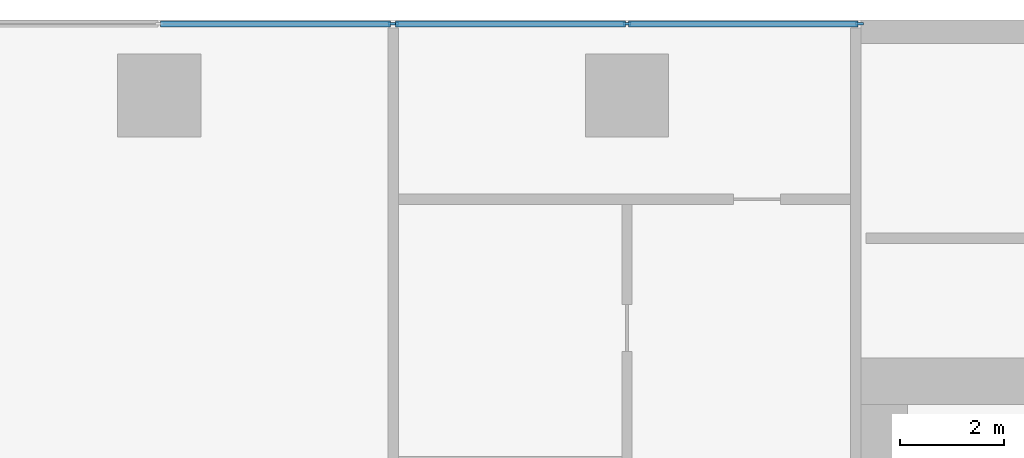
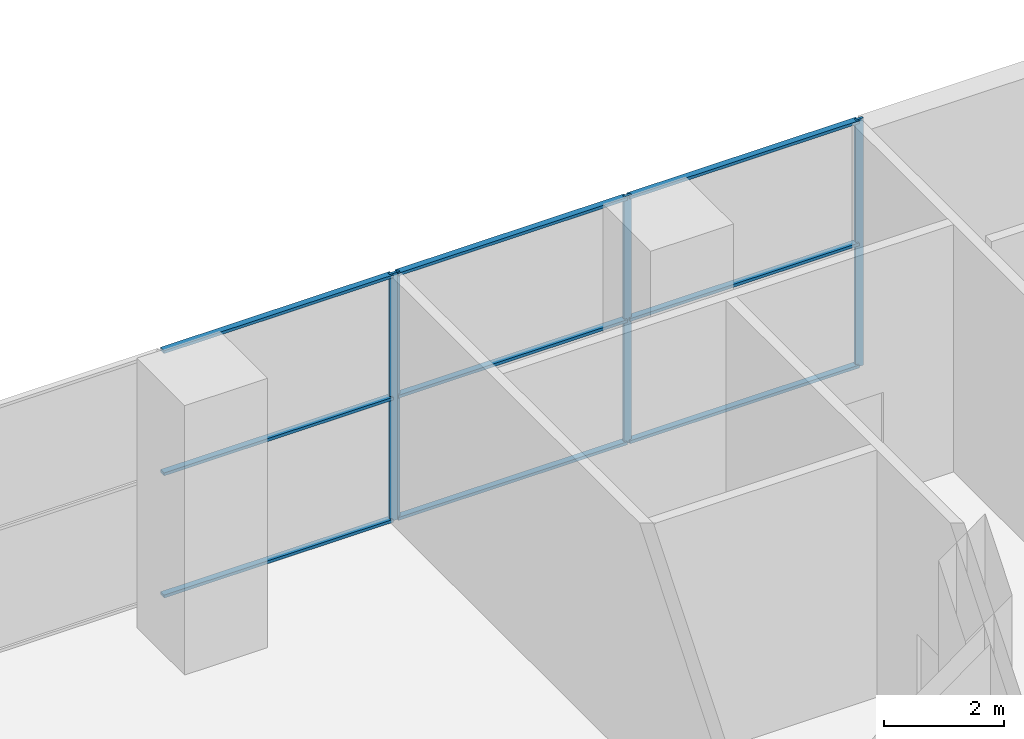
# One storey, part 5 of 21: 13 members, 2 elements without a shape of their own.
"""IFC4 building model written with IfcOpenShell, lengths in metres."""

from ifc_helpers import new_model, si_unit, direction, frame, origin, origin_2d, place, context, subcontext, project, spatial, rectangle, extrude, material, material_profile, profile_set, type_object, element, aggregate, save


model = new_model("IFC4")

# Units and contexts
model_context = context("Model", 3, precision=1e-05, world=origin(), true_north=direction((0.0, 1.0)))
body_context = subcontext(model_context, "Body", "Model", "MODEL_VIEW")
ifc_project = project(units=[si_unit("LENGTHUNIT", "METRE"), si_unit("AREAUNIT", "SQUARE_METRE"), si_unit("VOLUMEUNIT", "CUBIC_METRE"), si_unit("PLANEANGLEUNIT", "RADIAN"), si_unit("MASSUNIT", "GRAM", prefix="KILO")], contexts=[model_context])

# Site, building, storey
site_placement = place(None, origin())
site = spatial("IfcSite", under=ifc_project, at=site_placement, CompositionType="ELEMENT")
building_placement = place(site_placement, origin())
building = spatial("IfcBuilding", under=site, at=building_placement, Name="Kajstack Hotel Tower", CompositionType="ELEMENT")
storey_placement = place(building_placement, frame((0.0, 0.0, 23.5)))
storey = spatial("IfcBuildingStorey", under=building, at=storey_placement, Name="L03", CompositionType="ELEMENT", Elevation=23.5)

# Curtain wall, members
ifc_material_1 = material(Name="Aluminium-framed curtain wall, fritted glass", Category="aluminium")
curtain_wall_type = type_object("IfcCurtainWallType", Name="CW-MEET", PredefinedType="NOTDEFINED", material=ifc_material_1)
curtain_wall_1_placement = place(storey_placement, origin())
curtain_wall_1 = element("IfcCurtainWall", 1, at=curtain_wall_1_placement, inside=storey, type_object=curtain_wall_type, Name="Curtain wall CU3 L03-11-02-0", PredefinedType="NOTDEFINED")
ifc_material_2 = material(Name="Aluminium", Category="aluminium")
ifc_material_profile_1 = material_profile(ifc_material_2, rectangle(XDim=0.050048828125, YDim=0.14990234375, at=origin_2d()), Name="Aluminium mullion 50 x 150")
ifc_profile_set_1 = profile_set([ifc_material_profile_1], Name="Aluminium")
member_type_1 = type_object("IfcMemberType", Name="CW-M-MEET", PredefinedType="MULLION", material=ifc_profile_set_1)
member_1_placement = place(storey_placement, frame((13.47509765625, 21.925048828125, 0.0), z_axis=(0.0, 0.0, 1.0), x_axis=(0.0, -1.0, 0.0)))
member_1 = element("IfcMember", 2, at=member_1_placement, type_object=member_type_1, Name="CU3 mullion 1", PredefinedType="MULLION", context=body_context, shape_type="SweptSolid", body=[
    extrude(rectangle(XDim=0.050048828125, YDim=0.14990234375, at=origin_2d()), origin(), (0.0, 0.0, 1.0), 5.050048828125),
])
member_2_placement = place(storey_placement, frame((9.0, 21.925048828125, 0.0), z_axis=(0.0, 0.0, 1.0), x_axis=(0.0, -1.0, 0.0)))
member_2 = element("IfcMember", 3, at=member_2_placement, type_object=member_type_1, Name="CU3 mullion 2", PredefinedType="MULLION", context=body_context, shape_type="SweptSolid", body=[
    extrude(rectangle(XDim=0.050048828125, YDim=0.14990234375, at=origin_2d()), origin(), (0.0, 0.0, 1.0), 5.050048828125),
])
member_3_placement = place(storey_placement, frame((4.52490234375, 21.925048828125, 0.0), z_axis=(0.0, 0.0, 1.0), x_axis=(0.0, -1.0, 0.0)))
member_3 = element("IfcMember", 4, at=member_3_placement, type_object=member_type_1, Name="CU3 mullion 3", PredefinedType="MULLION", context=body_context, shape_type="SweptSolid", body=[
    extrude(rectangle(XDim=0.050048828125, YDim=0.14990234375, at=origin_2d()), origin(), (0.0, 0.0, 1.0), 5.050048828125),
])

# Curtain wall, member
curtain_wall_2_placement = place(storey_placement, origin())
curtain_wall_2 = element("IfcCurtainWall", 5, at=curtain_wall_2_placement, inside=storey, type_object=curtain_wall_type, Name="Curtain wall CU3 L03-11-02-1", PredefinedType="NOTDEFINED")
member_4_placement = place(storey_placement, frame((4.47509765625, 21.925048828125, 0.0), z_axis=(0.0, 0.0, 1.0), x_axis=(0.0, -1.0, 0.0)))
member_4 = element("IfcMember", 6, at=member_4_placement, type_object=member_type_1, Name="CU3 mullion 1", PredefinedType="MULLION", context=body_context, shape_type="SweptSolid", body=[
    extrude(rectangle(XDim=0.050048828125, YDim=0.14990234375, at=origin_2d()), origin(), (0.0, 0.0, 1.0), 5.050048828125),
])

# Member
ifc_material_profile_2 = material_profile(ifc_material_2, rectangle(XDim=0.1201171875, YDim=0.06005859375, at=origin_2d()), Name="Aluminium transom 120 x 60")
ifc_profile_set_2 = profile_set([ifc_material_profile_2], Name="Aluminium")
member_type_2 = type_object("IfcMemberType", Name="CW-T-MEET", PredefinedType="USERDEFINED", material=ifc_profile_set_2)
member_5_placement = place(storey_placement, frame((13.449951171875, 21.925048828125, 0.030029296875), z_axis=(-1.0, 0.0, 0.0), x_axis=(0.0, -1.0, 0.0)))
member_5 = element("IfcMember", 7, at=member_5_placement, type_object=member_type_2, Name="CU3 transom 1.1", ObjectType="TRANSOM", PredefinedType="USERDEFINED", context=body_context, shape_type="SweptSolid", body=[
    extrude(rectangle(XDim=0.1201171875, YDim=0.06005859375, at=origin_2d()), origin(), (0.0, 0.0, 1.0), 4.425048828125),
])

member_6_placement = place(storey_placement, frame((13.449951171875, 21.925048828125, 2.52490234375), z_axis=(-1.0, 0.0, 0.0), x_axis=(0.0, -1.0, 0.0)))
member_6 = element("IfcMember", 8, at=member_6_placement, type_object=member_type_2, Name="CU3 transom 1.2", ObjectType="TRANSOM", PredefinedType="USERDEFINED", context=body_context, shape_type="SweptSolid", body=[
    extrude(rectangle(XDim=0.1201171875, YDim=0.06005859375, at=origin_2d()), origin(), (0.0, 0.0, 1.0), 4.425048828125),
])

member_7_placement = place(storey_placement, frame((13.449951171875, 21.925048828125, 5.02001953125), z_axis=(-1.0, 0.0, 0.0), x_axis=(0.0, -1.0, 0.0)))
member_7 = element("IfcMember", 9, at=member_7_placement, type_object=member_type_2, Name="CU3 transom 1.3", ObjectType="TRANSOM", PredefinedType="USERDEFINED", context=body_context, shape_type="SweptSolid", body=[
    extrude(rectangle(XDim=0.1201171875, YDim=0.06005859375, at=origin_2d()), origin(), (0.0, 0.0, 1.0), 4.425048828125),
])

member_8_placement = place(storey_placement, frame((8.97509765625, 21.925048828125, 0.030029296875), z_axis=(-1.0, 0.0, 0.0), x_axis=(0.0, -1.0, 0.0)))
member_8 = element("IfcMember", 10, at=member_8_placement, type_object=member_type_2, Name="CU3 transom 2.1", ObjectType="TRANSOM", PredefinedType="USERDEFINED", context=body_context, shape_type="SweptSolid", body=[
    extrude(rectangle(XDim=0.1201171875, YDim=0.06005859375, at=origin_2d()), origin(), (0.0, 0.0, 1.0), 4.425048828125),
])

member_9_placement = place(storey_placement, frame((8.97509765625, 21.925048828125, 2.52490234375), z_axis=(-1.0, 0.0, 0.0), x_axis=(0.0, -1.0, 0.0)))
member_9 = element("IfcMember", 11, at=member_9_placement, type_object=member_type_2, Name="CU3 transom 2.2", ObjectType="TRANSOM", PredefinedType="USERDEFINED", context=body_context, shape_type="SweptSolid", body=[
    extrude(rectangle(XDim=0.1201171875, YDim=0.06005859375, at=origin_2d()), origin(), (0.0, 0.0, 1.0), 4.425048828125),
])

member_10_placement = place(storey_placement, frame((8.97509765625, 21.925048828125, 5.02001953125), z_axis=(-1.0, 0.0, 0.0), x_axis=(0.0, -1.0, 0.0)))
member_10 = element("IfcMember", 12, at=member_10_placement, type_object=member_type_2, Name="CU3 transom 2.3", ObjectType="TRANSOM", PredefinedType="USERDEFINED", context=body_context, shape_type="SweptSolid", body=[
    extrude(rectangle(XDim=0.1201171875, YDim=0.06005859375, at=origin_2d()), origin(), (0.0, 0.0, 1.0), 4.425048828125),
])

aggregate(curtain_wall_1, [member_1, member_2, member_3, member_5, member_6, member_7, member_8, member_9, member_10])

member_11_placement = place(storey_placement, frame((4.449951171875, 21.925048828125, 0.030029296875), z_axis=(-1.0, 0.0, 0.0), x_axis=(0.0, -1.0, 0.0)))
member_11 = element("IfcMember", 13, at=member_11_placement, type_object=member_type_2, Name="CU3 transom 1.1", ObjectType="TRANSOM", PredefinedType="USERDEFINED", context=body_context, shape_type="SweptSolid", body=[
    extrude(rectangle(XDim=0.1201171875, YDim=0.06005859375, at=origin_2d()), origin(), (0.0, 0.0, 1.0), 4.425048828125),
])

member_12_placement = place(storey_placement, frame((4.449951171875, 21.925048828125, 2.52490234375), z_axis=(-1.0, 0.0, 0.0), x_axis=(0.0, -1.0, 0.0)))
member_12 = element("IfcMember", 14, at=member_12_placement, type_object=member_type_2, Name="CU3 transom 1.2", ObjectType="TRANSOM", PredefinedType="USERDEFINED", context=body_context, shape_type="SweptSolid", body=[
    extrude(rectangle(XDim=0.1201171875, YDim=0.06005859375, at=origin_2d()), origin(), (0.0, 0.0, 1.0), 4.425048828125),
])

member_13_placement = place(storey_placement, frame((4.449951171875, 21.925048828125, 5.02001953125), z_axis=(-1.0, 0.0, 0.0), x_axis=(0.0, -1.0, 0.0)))
member_13 = element("IfcMember", 15, at=member_13_placement, type_object=member_type_2, Name="CU3 transom 1.3", ObjectType="TRANSOM", PredefinedType="USERDEFINED", context=body_context, shape_type="SweptSolid", body=[
    extrude(rectangle(XDim=0.1201171875, YDim=0.06005859375, at=origin_2d()), origin(), (0.0, 0.0, 1.0), 4.425048828125),
])

aggregate(curtain_wall_2, [member_4, member_11, member_12, member_13])

save(model, "model.ifc")
